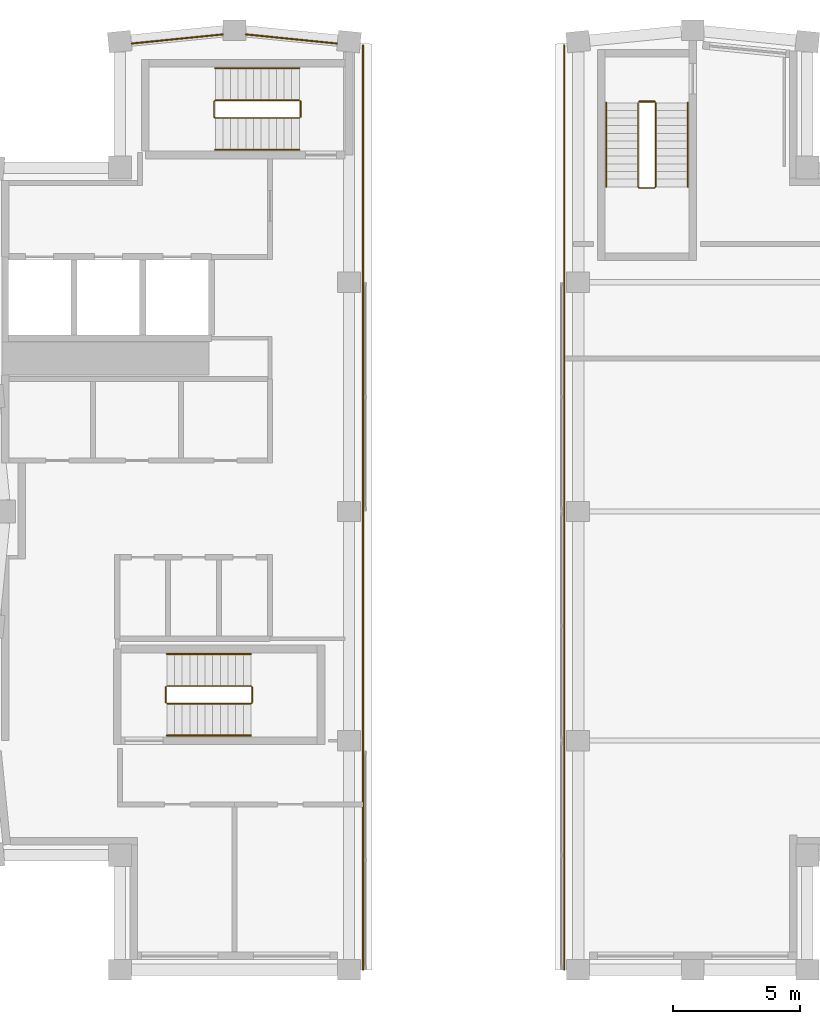
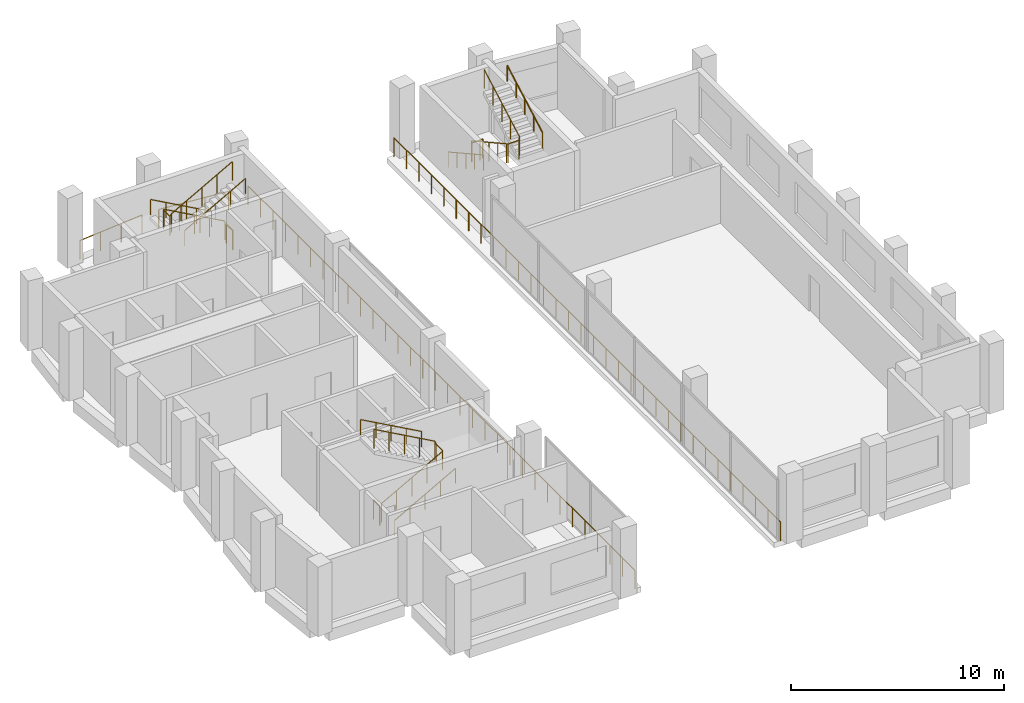
# One storey, part 9 of 9: 16 railings.
"""IFC4 building model written with IfcOpenShell, lengths in metres."""

from ifc_helpers import new_model, si_unit, direction, frame, origin, origin_2d, place, context, subcontext, project, spatial, circle, extrude, material, type_object, element, save


model = new_model("IFC4")

# Units and contexts
model_context = context("Model", 3, precision=1e-05, world=origin(), true_north=direction((0.0, 1.0)))
body_context = subcontext(model_context, "Body", "Model", "MODEL_VIEW")
ifc_project = project(units=[si_unit("LENGTHUNIT", "METRE"), si_unit("AREAUNIT", "SQUARE_METRE"), si_unit("VOLUMEUNIT", "CUBIC_METRE"), si_unit("PLANEANGLEUNIT", "RADIAN"), si_unit("MASSUNIT", "GRAM", prefix="KILO")], contexts=[model_context])

# Site, building, storey
site_placement = place(None, origin())
site = spatial("IfcSite", under=ifc_project, at=site_placement, CompositionType="ELEMENT")
building_placement = place(site_placement, origin())
building = spatial("IfcBuilding", under=site, at=building_placement, Name="Brondeck Convention Tower", CompositionType="ELEMENT")
storey_placement = place(building_placement, frame((0.0, 0.0, 290.800048828125)))
storey = spatial("IfcBuildingStorey", under=building, at=storey_placement, Name="L72", CompositionType="ELEMENT", Elevation=290.800048828125)

# Railings
ifc_material_1 = material(Name="Steel S355, bronze painted", Category="steel")
railing_type_1 = type_object("IfcRailingType", Name="Guard, bronze steel rail and posts", PredefinedType="GUARDRAIL", material=ifc_material_1)
railing_1_placement = place(storey_placement, frame((14.050048828125, 27.0, 0.0)))
element("IfcRailing", 1, at=railing_1_placement, inside=storey, type_object=railing_type_1, Name="ENV-SLOT-144-L72-RL1", PredefinedType="GUARDRAIL", context=body_context, shape_type="SweptSolid", body=[
    extrude(circle(Radius=0.02490234375, at=origin_2d()), frame((0.0, 0.0, 1.0751953125), z_axis=(0.0, 1.0, 0.0), x_axis=(-1.0, 0.0, 0.0)), (0.0, 0.0, 1.0), 36.294921875),
    extrude(circle(Radius=0.02490234375, at=origin_2d()), origin(), (0.0, 0.0, 1.0), 1.050048828125),
    extrude(circle(Radius=0.02490234375, at=origin_2d()), frame((0.0, 1.1708984375, 0.0)), (0.0, 0.0, 1.0), 1.050048828125),
    extrude(circle(Radius=0.02490234375, at=origin_2d()), frame((0.0, 2.341552734375, 0.0)), (0.0, 0.0, 1.0), 1.050048828125),
    extrude(circle(Radius=0.02490234375, at=origin_2d()), frame((0.0, 3.512451171875, 0.0)), (0.0, 0.0, 1.0), 1.050048828125),
    extrude(circle(Radius=0.02490234375, at=origin_2d()), frame((0.0, 4.68310546875, 0.0)), (0.0, 0.0, 1.0), 1.050048828125),
    extrude(circle(Radius=0.02490234375, at=origin_2d()), frame((0.0, 5.85400390625, 0.0)), (0.0, 0.0, 1.0), 1.050048828125),
    extrude(circle(Radius=0.02490234375, at=origin_2d()), frame((0.0, 7.02490234375, 0.0)), (0.0, 0.0, 1.0), 1.050048828125),
    extrude(circle(Radius=0.02490234375, at=origin_2d()), frame((0.0, 8.195556640625, 0.0)), (0.0, 0.0, 1.0), 1.050048828125),
    extrude(circle(Radius=0.02490234375, at=origin_2d()), frame((0.0, 9.366455078125, 0.0)), (0.0, 0.0, 1.0), 1.050048828125),
    extrude(circle(Radius=0.02490234375, at=origin_2d()), frame((0.0, 10.537353515625, 0.0)), (0.0, 0.0, 1.0), 1.050048828125),
    extrude(circle(Radius=0.02490234375, at=origin_2d()), frame((0.0, 11.7080078125, 0.0)), (0.0, 0.0, 1.0), 1.050048828125),
    extrude(circle(Radius=0.02490234375, at=origin_2d()), frame((0.0, 12.87890625, 0.0)), (0.0, 0.0, 1.0), 1.050048828125),
    extrude(circle(Radius=0.02490234375, at=origin_2d()), frame((0.0, 14.049560546875, 0.0)), (0.0, 0.0, 1.0), 1.050048828125),
    extrude(circle(Radius=0.02490234375, at=origin_2d()), frame((0.0, 15.220458984375, 0.0)), (0.0, 0.0, 1.0), 1.050048828125),
    extrude(circle(Radius=0.02490234375, at=origin_2d()), frame((0.0, 16.391357421875, 0.0)), (0.0, 0.0, 1.0), 1.050048828125),
    extrude(circle(Radius=0.02490234375, at=origin_2d()), frame((0.0, 17.56201171875, 0.0)), (0.0, 0.0, 1.0), 1.050048828125),
    extrude(circle(Radius=0.02490234375, at=origin_2d()), frame((0.0, 18.73291015625, 0.0)), (0.0, 0.0, 1.0), 1.050048828125),
    extrude(circle(Radius=0.02490234375, at=origin_2d()), frame((0.0, 19.903564453125, 0.0)), (0.0, 0.0, 1.0), 1.050048828125),
    extrude(circle(Radius=0.02490234375, at=origin_2d()), frame((0.0, 21.074462890625, 0.0)), (0.0, 0.0, 1.0), 1.050048828125),
    extrude(circle(Radius=0.02490234375, at=origin_2d()), frame((0.0, 22.245361328125, 0.0)), (0.0, 0.0, 1.0), 1.050048828125),
    extrude(circle(Radius=0.02490234375, at=origin_2d()), frame((0.0, 23.416015625, 0.0)), (0.0, 0.0, 1.0), 1.050048828125),
    extrude(circle(Radius=0.02490234375, at=origin_2d()), frame((0.0, 24.5869140625, 0.0)), (0.0, 0.0, 1.0), 1.050048828125),
    extrude(circle(Radius=0.02490234375, at=origin_2d()), frame((0.0, 25.757568359375, 0.0)), (0.0, 0.0, 1.0), 1.050048828125),
    extrude(circle(Radius=0.02490234375, at=origin_2d()), frame((0.0, 26.928466796875, 0.0)), (0.0, 0.0, 1.0), 1.050048828125),
    extrude(circle(Radius=0.02490234375, at=origin_2d()), frame((0.0, 28.099365234375, 0.0)), (0.0, 0.0, 1.0), 1.050048828125),
    extrude(circle(Radius=0.02490234375, at=origin_2d()), frame((0.0, 29.27001953125, 0.0)), (0.0, 0.0, 1.0), 1.050048828125),
    extrude(circle(Radius=0.02490234375, at=origin_2d()), frame((0.0, 30.44091796875, 0.0)), (0.0, 0.0, 1.0), 1.050048828125),
    extrude(circle(Radius=0.02490234375, at=origin_2d()), frame((0.0, 31.61181640625, 0.0)), (0.0, 0.0, 1.0), 1.050048828125),
    extrude(circle(Radius=0.02490234375, at=origin_2d()), frame((0.0, 32.782470703125, 0.0)), (0.0, 0.0, 1.0), 1.050048828125),
    extrude(circle(Radius=0.02490234375, at=origin_2d()), frame((0.0, 33.953369140625, 0.0)), (0.0, 0.0, 1.0), 1.050048828125),
    extrude(circle(Radius=0.02490234375, at=origin_2d()), frame((0.0, 35.1240234375, 0.0)), (0.0, 0.0, 1.0), 1.050048828125),
    extrude(circle(Radius=0.02490234375, at=origin_2d()), frame((0.0, 36.294921875, 0.0)), (0.0, 0.0, 1.0), 1.050048828125),
])
railing_2_placement = place(storey_placement, frame((21.949951171875, 27.0, 0.0)))
element("IfcRailing", 2, at=railing_2_placement, inside=storey, type_object=railing_type_1, Name="ENV-SLOT-216-L72-RL1", PredefinedType="GUARDRAIL", context=body_context, shape_type="SweptSolid", body=[
    extrude(circle(Radius=0.02490234375, at=origin_2d()), frame((0.0, 0.0, 1.0751953125), z_axis=(0.0, 1.0, 0.0), x_axis=(-1.0, 0.0, 0.0)), (0.0, 0.0, 1.0), 36.294921875),
    extrude(circle(Radius=0.02490234375, at=origin_2d()), origin(), (0.0, 0.0, 1.0), 1.050048828125),
    extrude(circle(Radius=0.02490234375, at=origin_2d()), frame((0.0, 1.1708984375, 0.0)), (0.0, 0.0, 1.0), 1.050048828125),
    extrude(circle(Radius=0.02490234375, at=origin_2d()), frame((0.0, 2.341552734375, 0.0)), (0.0, 0.0, 1.0), 1.050048828125),
    extrude(circle(Radius=0.02490234375, at=origin_2d()), frame((0.0, 3.512451171875, 0.0)), (0.0, 0.0, 1.0), 1.050048828125),
    extrude(circle(Radius=0.02490234375, at=origin_2d()), frame((0.0, 4.68310546875, 0.0)), (0.0, 0.0, 1.0), 1.050048828125),
    extrude(circle(Radius=0.02490234375, at=origin_2d()), frame((0.0, 5.85400390625, 0.0)), (0.0, 0.0, 1.0), 1.050048828125),
    extrude(circle(Radius=0.02490234375, at=origin_2d()), frame((0.0, 7.02490234375, 0.0)), (0.0, 0.0, 1.0), 1.050048828125),
    extrude(circle(Radius=0.02490234375, at=origin_2d()), frame((0.0, 8.195556640625, 0.0)), (0.0, 0.0, 1.0), 1.050048828125),
    extrude(circle(Radius=0.02490234375, at=origin_2d()), frame((0.0, 9.366455078125, 0.0)), (0.0, 0.0, 1.0), 1.050048828125),
    extrude(circle(Radius=0.02490234375, at=origin_2d()), frame((0.0, 10.537353515625, 0.0)), (0.0, 0.0, 1.0), 1.050048828125),
    extrude(circle(Radius=0.02490234375, at=origin_2d()), frame((0.0, 11.7080078125, 0.0)), (0.0, 0.0, 1.0), 1.050048828125),
    extrude(circle(Radius=0.02490234375, at=origin_2d()), frame((0.0, 12.87890625, 0.0)), (0.0, 0.0, 1.0), 1.050048828125),
    extrude(circle(Radius=0.02490234375, at=origin_2d()), frame((0.0, 14.049560546875, 0.0)), (0.0, 0.0, 1.0), 1.050048828125),
    extrude(circle(Radius=0.02490234375, at=origin_2d()), frame((0.0, 15.220458984375, 0.0)), (0.0, 0.0, 1.0), 1.050048828125),
    extrude(circle(Radius=0.02490234375, at=origin_2d()), frame((0.0, 16.391357421875, 0.0)), (0.0, 0.0, 1.0), 1.050048828125),
    extrude(circle(Radius=0.02490234375, at=origin_2d()), frame((0.0, 17.56201171875, 0.0)), (0.0, 0.0, 1.0), 1.050048828125),
    extrude(circle(Radius=0.02490234375, at=origin_2d()), frame((0.0, 18.73291015625, 0.0)), (0.0, 0.0, 1.0), 1.050048828125),
    extrude(circle(Radius=0.02490234375, at=origin_2d()), frame((0.0, 19.903564453125, 0.0)), (0.0, 0.0, 1.0), 1.050048828125),
    extrude(circle(Radius=0.02490234375, at=origin_2d()), frame((0.0, 21.074462890625, 0.0)), (0.0, 0.0, 1.0), 1.050048828125),
    extrude(circle(Radius=0.02490234375, at=origin_2d()), frame((0.0, 22.245361328125, 0.0)), (0.0, 0.0, 1.0), 1.050048828125),
    extrude(circle(Radius=0.02490234375, at=origin_2d()), frame((0.0, 23.416015625, 0.0)), (0.0, 0.0, 1.0), 1.050048828125),
    extrude(circle(Radius=0.02490234375, at=origin_2d()), frame((0.0, 24.5869140625, 0.0)), (0.0, 0.0, 1.0), 1.050048828125),
    extrude(circle(Radius=0.02490234375, at=origin_2d()), frame((0.0, 25.757568359375, 0.0)), (0.0, 0.0, 1.0), 1.050048828125),
    extrude(circle(Radius=0.02490234375, at=origin_2d()), frame((0.0, 26.928466796875, 0.0)), (0.0, 0.0, 1.0), 1.050048828125),
    extrude(circle(Radius=0.02490234375, at=origin_2d()), frame((0.0, 28.099365234375, 0.0)), (0.0, 0.0, 1.0), 1.050048828125),
    extrude(circle(Radius=0.02490234375, at=origin_2d()), frame((0.0, 29.27001953125, 0.0)), (0.0, 0.0, 1.0), 1.050048828125),
    extrude(circle(Radius=0.02490234375, at=origin_2d()), frame((0.0, 30.44091796875, 0.0)), (0.0, 0.0, 1.0), 1.050048828125),
    extrude(circle(Radius=0.02490234375, at=origin_2d()), frame((0.0, 31.61181640625, 0.0)), (0.0, 0.0, 1.0), 1.050048828125),
    extrude(circle(Radius=0.02490234375, at=origin_2d()), frame((0.0, 32.782470703125, 0.0)), (0.0, 0.0, 1.0), 1.050048828125),
    extrude(circle(Radius=0.02490234375, at=origin_2d()), frame((0.0, 33.953369140625, 0.0)), (0.0, 0.0, 1.0), 1.050048828125),
    extrude(circle(Radius=0.02490234375, at=origin_2d()), frame((0.0, 35.1240234375, 0.0)), (0.0, 0.0, 1.0), 1.050048828125),
    extrude(circle(Radius=0.02490234375, at=origin_2d()), frame((0.0, 36.294921875, 0.0)), (0.0, 0.0, 1.0), 1.050048828125),
])
railing_3_placement = place(storey_placement, frame((4.9794921875, 63.37744140625, 0.0)))
element("IfcRailing", 3, at=railing_3_placement, inside=storey, type_object=railing_type_1, Name="ENV-RL-L72-REAR1", PredefinedType="GUARDRAIL", context=body_context, shape_type="SweptSolid", body=[
    extrude(circle(Radius=0.02490234375, at=origin_2d()), frame((0.0, 0.0, 1.0751953125), z_axis=(0.995037864926, 0.099496971632, 0.0), x_axis=(-0.099496971632, 0.995037864926, 0.0)), (0.0, 0.0, 1.0), 3.58251953125),
    extrude(circle(Radius=0.02490234375, at=origin_2d()), origin(), (0.0, 0.0, 1.0), 1.050048828125),
    extrude(circle(Radius=0.02490234375, at=origin_2d()), frame((1.188232421875, 0.118896484375, 0.0)), (0.0, 0.0, 1.0), 1.050048828125),
    extrude(circle(Radius=0.02490234375, at=origin_2d()), frame((2.37646484375, 0.237548828125, 0.0)), (0.0, 0.0, 1.0), 1.050048828125),
    extrude(circle(Radius=0.02490234375, at=origin_2d()), frame((3.564697265625, 0.3564453125, 0.0)), (0.0, 0.0, 1.0), 1.050048828125),
])
railing_4_placement = place(storey_placement, frame((9.455810546875, 63.73388671875, 0.0)))
element("IfcRailing", 4, at=railing_4_placement, inside=storey, type_object=railing_type_1, Name="ENV-RL-L72-REAR2", PredefinedType="GUARDRAIL", context=body_context, shape_type="SweptSolid", body=[
    extrude(circle(Radius=0.02490234375, at=origin_2d()), frame((0.0, 0.0, 1.0751953125), z_axis=(0.995037864926, -0.099496971632, 0.0), x_axis=(0.099496971632, 0.995037864926, 0.0)), (0.0, 0.0, 1.0), 3.58251953125),
    extrude(circle(Radius=0.02490234375, at=origin_2d()), origin(), (0.0, 0.0, 1.0), 1.050048828125),
    extrude(circle(Radius=0.02490234375, at=origin_2d()), frame((1.188232421875, -0.118896484375, 0.0)), (0.0, 0.0, 1.0), 1.050048828125),
    extrude(circle(Radius=0.02490234375, at=origin_2d()), frame((2.37646484375, -0.237548828125, 0.0)), (0.0, 0.0, 1.0), 1.050048828125),
    extrude(circle(Radius=0.02490234375, at=origin_2d()), frame((3.564697265625, -0.3564453125, 0.0)), (0.0, 0.0, 1.0), 1.050048828125),
])
ifc_material_2 = material(Name="Steel S355", Category="steel")
railing_type_2 = type_object("IfcRailingType", Name="Stair guard 1100", PredefinedType="GUARDRAIL", material=ifc_material_2)
railing_5_placement = place(storey_placement, frame((6.35009765625, 37.449951171875, 0.16650390625)))
element("IfcRailing", 5, at=railing_5_placement, inside=storey, type_object=railing_type_2, Name="L72 ST-1 stair guard 1", PredefinedType="GUARDRAIL", context=body_context, shape_type="SweptSolid", body=[
    extrude(circle(Radius=0.02392578125, at=origin_2d()), frame((0.0, 0.0, 1.076171875), z_axis=(0.874126768038, 0.0, 0.485697841667), x_axis=(0.0, 1.0, 0.0)), (0.0, 0.0, 1.0), 3.77490234375),
    extrude(circle(Radius=0.02392578125, at=origin_2d()), frame((3.2998046875, 0.0, 2.90966796875), z_axis=(0.707106781187, 0.707106781187, 0.0), x_axis=(-0.707106781187, 0.707106781187, 0.0)), (0.0, 0.0, 1.0), 0.07080078125),
    extrude(circle(Radius=0.02392578125, at=origin_2d()), frame((3.349853515625, 0.050048828125, 2.90966796875), z_axis=(0.0, 1.0, 0.0), x_axis=(-1.0, 0.0, 0.0)), (0.0, 0.0, 1.0), 0.60009765625),
    extrude(circle(Radius=0.02392578125, at=origin_2d()), frame((3.349853515625, 0.650146484375, 2.90966796875), z_axis=(-0.276732813696, 0.275382897532, 0.920642824102), x_axis=(-0.705375805398, -0.708833529934, 0.0)), (0.0, 0.0, 1.0), 0.180908203125),
    extrude(circle(Radius=0.02392578125, at=origin_2d()), frame((3.2998046875, 0.699951171875, 3.076171875), z_axis=(-0.874126768038, 0.0, 0.485697841667), x_axis=(0.0, -1.0, 0.0)), (0.0, 0.0, 1.0), 3.77490234375),
    extrude(circle(Radius=0.02099609375, at=origin_2d()), origin(), (0.0, 0.0, 1.0), 1.052001953125),
    extrude(circle(Radius=0.02099609375, at=origin_2d()), frame((0.824951171875, 0.0, 0.45849609375)), (0.0, 0.0, 1.0), 1.052001953125),
    extrude(circle(Radius=0.02099609375, at=origin_2d()), frame((1.64990234375, 0.0, 0.916748046875)), (0.0, 0.0, 1.0), 1.052001953125),
    extrude(circle(Radius=0.02099609375, at=origin_2d()), frame((2.474853515625, 0.0, 1.375)), (0.0, 0.0, 1.0), 1.052001953125),
    extrude(circle(Radius=0.02099609375, at=origin_2d()), frame((3.2998046875, 0.0, 1.83349609375)), (0.0, 0.0, 1.0), 1.052001953125),
    extrude(circle(Radius=0.02099609375, at=origin_2d()), frame((3.349853515625, 0.050048828125, 1.83349609375)), (0.0, 0.0, 1.0), 1.052001953125),
    extrude(circle(Radius=0.02099609375, at=origin_2d()), frame((3.349853515625, 0.650146484375, 1.83349609375)), (0.0, 0.0, 1.0), 1.052001953125),
    extrude(circle(Radius=0.02099609375, at=origin_2d()), frame((3.2998046875, 0.699951171875, 2.0)), (0.0, 0.0, 1.0), 1.052001953125),
    extrude(circle(Radius=0.02099609375, at=origin_2d()), frame((2.474853515625, 0.699951171875, 2.45849609375)), (0.0, 0.0, 1.0), 1.052001953125),
    extrude(circle(Radius=0.02099609375, at=origin_2d()), frame((1.64990234375, 0.699951171875, 2.916748046875)), (0.0, 0.0, 1.0), 1.052001953125),
    extrude(circle(Radius=0.02099609375, at=origin_2d()), frame((0.824951171875, 0.699951171875, 3.375)), (0.0, 0.0, 1.0), 1.052001953125),
    extrude(circle(Radius=0.02099609375, at=origin_2d()), frame((0.0, 0.699951171875, 3.83349609375)), (0.0, 0.0, 1.0), 1.052001953125),
])
railing_6_placement = place(storey_placement, frame((6.300048828125, 37.5, 0.0)))
element("IfcRailing", 6, at=railing_6_placement, inside=storey, type_object=railing_type_2, Name="L72 ST-1 stair guard 2", PredefinedType="GUARDRAIL", context=body_context, shape_type="SweptSolid", body=[
    extrude(circle(Radius=0.02392578125, at=origin_2d()), frame((0.0, 0.0, 1.076171875), z_axis=(0.0, 1.0, 0.0), x_axis=(-1.0, 0.0, 0.0)), (0.0, 0.0, 1.0), 0.60009765625),
    extrude(circle(Radius=0.02099609375, at=origin_2d()), origin(), (0.0, 0.0, 1.0), 1.052001953125),
    extrude(circle(Radius=0.02099609375, at=origin_2d()), frame((0.0, 0.60009765625, 0.0)), (0.0, 0.0, 1.0), 1.052001953125),
])
railing_7_placement = place(storey_placement, frame((24.85009765625, 61.050048828125, 0.16650390625)))
element("IfcRailing", 7, at=railing_7_placement, inside=storey, type_object=railing_type_2, Name="L72 ST-2 stair guard 1", PredefinedType="GUARDRAIL", context=body_context, shape_type="SweptSolid", body=[
    extrude(circle(Radius=0.02392578125, at=origin_2d()), frame((0.0, 0.0, 1.076171875), z_axis=(0.0, -0.874142023373, 0.48567038511), x_axis=(1.0, 0.0, 0.0)), (0.0, 0.0, 1.0), 3.775146484375),
    extrude(circle(Radius=0.02392578125, at=origin_2d()), frame((0.0, -3.300048828125, 2.90966796875), z_axis=(0.705375805398, -0.708833529934, 0.0), x_axis=(0.708833529934, 0.705375805398, 0.0)), (0.0, 0.0, 1.0), 0.070556640625),
    extrude(circle(Radius=0.02392578125, at=origin_2d()), frame((0.0498046875, -3.35009765625, 2.90966796875), z_axis=(1.0, 0.0, 0.0), x_axis=(0.0, 1.0, 0.0)), (0.0, 0.0, 1.0), 0.60009765625),
    extrude(circle(Radius=0.02392578125, at=origin_2d()), frame((0.64990234375, -3.35009765625, 2.90966796875), z_axis=(0.27662974545, 0.27662974545, 0.920299933644), x_axis=(-0.707106781187, 0.707106781187, 0.0)), (0.0, 0.0, 1.0), 0.180908203125),
    extrude(circle(Radius=0.02392578125, at=origin_2d()), frame((0.699951171875, -3.300048828125, 3.076171875), z_axis=(0.0, 0.874142023373, 0.48567038511), x_axis=(-1.0, 0.0, 0.0)), (0.0, 0.0, 1.0), 3.775146484375),
    extrude(circle(Radius=0.02099609375, at=origin_2d()), origin(), (0.0, 0.0, 1.0), 1.052001953125),
    extrude(circle(Radius=0.02099609375, at=origin_2d()), frame((0.0, -0.824951171875, 0.45849609375)), (0.0, 0.0, 1.0), 1.052001953125),
    extrude(circle(Radius=0.02099609375, at=origin_2d()), frame((0.0, -1.64990234375, 0.916748046875)), (0.0, 0.0, 1.0), 1.052001953125),
    extrude(circle(Radius=0.02099609375, at=origin_2d()), frame((0.0, -2.47509765625, 1.375)), (0.0, 0.0, 1.0), 1.052001953125),
    extrude(circle(Radius=0.02099609375, at=origin_2d()), frame((0.0, -3.300048828125, 1.83349609375)), (0.0, 0.0, 1.0), 1.052001953125),
    extrude(circle(Radius=0.02099609375, at=origin_2d()), frame((0.0498046875, -3.35009765625, 1.83349609375)), (0.0, 0.0, 1.0), 1.052001953125),
    extrude(circle(Radius=0.02099609375, at=origin_2d()), frame((0.64990234375, -3.35009765625, 1.83349609375)), (0.0, 0.0, 1.0), 1.052001953125),
    extrude(circle(Radius=0.02099609375, at=origin_2d()), frame((0.699951171875, -3.300048828125, 2.0)), (0.0, 0.0, 1.0), 1.052001953125),
    extrude(circle(Radius=0.02099609375, at=origin_2d()), frame((0.699951171875, -2.47509765625, 2.45849609375)), (0.0, 0.0, 1.0), 1.052001953125),
    extrude(circle(Radius=0.02099609375, at=origin_2d()), frame((0.699951171875, -1.64990234375, 2.916748046875)), (0.0, 0.0, 1.0), 1.052001953125),
    extrude(circle(Radius=0.02099609375, at=origin_2d()), frame((0.699951171875, -0.824951171875, 3.375)), (0.0, 0.0, 1.0), 1.052001953125),
    extrude(circle(Radius=0.02099609375, at=origin_2d()), frame((0.699951171875, 0.0, 3.83349609375)), (0.0, 0.0, 1.0), 1.052001953125),
])
railing_8_placement = place(storey_placement, frame((24.89990234375, 61.10009765625, 0.0)))
element("IfcRailing", 8, at=railing_8_placement, inside=storey, type_object=railing_type_2, Name="L72 ST-2 stair guard 2", PredefinedType="GUARDRAIL", context=body_context, shape_type="SweptSolid", body=[
    extrude(circle(Radius=0.02392578125, at=origin_2d()), frame((0.0, 0.0, 1.076171875), z_axis=(1.0, 0.0, 0.0), x_axis=(0.0, 1.0, 0.0)), (0.0, 0.0, 1.0), 0.60009765625),
    extrude(circle(Radius=0.02099609375, at=origin_2d()), origin(), (0.0, 0.0, 1.0), 1.052001953125),
    extrude(circle(Radius=0.02099609375, at=origin_2d()), frame((0.60009765625, 0.0, 0.0)), (0.0, 0.0, 1.0), 1.052001953125),
])
railing_9_placement = place(storey_placement, frame((11.550048828125, 61.14990234375, 0.16650390625)))
element("IfcRailing", 9, at=railing_9_placement, inside=storey, type_object=railing_type_2, Name="L72 ST-3 stair guard 1", PredefinedType="GUARDRAIL", context=body_context, shape_type="SweptSolid", body=[
    extrude(circle(Radius=0.02392578125, at=origin_2d()), frame((0.0, 0.0, 1.076171875), z_axis=(-0.874142023373, 0.0, 0.48567038511), x_axis=(0.0, -1.0, 0.0)), (0.0, 0.0, 1.0), 3.775146484375),
    extrude(circle(Radius=0.02392578125, at=origin_2d()), frame((-3.300048828125, 0.0, 2.90966796875), z_axis=(-0.708833529934, -0.705375805398, 0.0), x_axis=(0.705375805398, -0.708833529934, 0.0)), (0.0, 0.0, 1.0), 0.070556640625),
    extrude(circle(Radius=0.02392578125, at=origin_2d()), frame((-3.35009765625, -0.0498046875, 2.90966796875), z_axis=(0.0, -1.0, 0.0), x_axis=(1.0, 0.0, 0.0)), (0.0, 0.0, 1.0), 0.60009765625),
    extrude(circle(Radius=0.02392578125, at=origin_2d()), frame((-3.35009765625, -0.64990234375, 2.90966796875), z_axis=(0.27662974545, -0.27662974545, 0.920299933644), x_axis=(0.707106781187, 0.707106781187, 0.0)), (0.0, 0.0, 1.0), 0.180908203125),
    extrude(circle(Radius=0.02392578125, at=origin_2d()), frame((-3.300048828125, -0.699951171875, 3.076171875), z_axis=(0.874142023373, 0.0, 0.48567038511), x_axis=(0.0, 1.0, 0.0)), (0.0, 0.0, 1.0), 3.775146484375),
    extrude(circle(Radius=0.02099609375, at=origin_2d()), origin(), (0.0, 0.0, 1.0), 1.052001953125),
    extrude(circle(Radius=0.02099609375, at=origin_2d()), frame((-0.824951171875, 0.0, 0.45849609375)), (0.0, 0.0, 1.0), 1.052001953125),
    extrude(circle(Radius=0.02099609375, at=origin_2d()), frame((-1.64990234375, 0.0, 0.916748046875)), (0.0, 0.0, 1.0), 1.052001953125),
    extrude(circle(Radius=0.02099609375, at=origin_2d()), frame((-2.47509765625, 0.0, 1.375)), (0.0, 0.0, 1.0), 1.052001953125),
    extrude(circle(Radius=0.02099609375, at=origin_2d()), frame((-3.300048828125, 0.0, 1.83349609375)), (0.0, 0.0, 1.0), 1.052001953125),
    extrude(circle(Radius=0.02099609375, at=origin_2d()), frame((-3.35009765625, -0.0498046875, 1.83349609375)), (0.0, 0.0, 1.0), 1.052001953125),
    extrude(circle(Radius=0.02099609375, at=origin_2d()), frame((-3.35009765625, -0.64990234375, 1.83349609375)), (0.0, 0.0, 1.0), 1.052001953125),
    extrude(circle(Radius=0.02099609375, at=origin_2d()), frame((-3.300048828125, -0.699951171875, 2.0)), (0.0, 0.0, 1.0), 1.052001953125),
    extrude(circle(Radius=0.02099609375, at=origin_2d()), frame((-2.47509765625, -0.699951171875, 2.45849609375)), (0.0, 0.0, 1.0), 1.052001953125),
    extrude(circle(Radius=0.02099609375, at=origin_2d()), frame((-1.64990234375, -0.699951171875, 2.916748046875)), (0.0, 0.0, 1.0), 1.052001953125),
    extrude(circle(Radius=0.02099609375, at=origin_2d()), frame((-0.824951171875, -0.699951171875, 3.375)), (0.0, 0.0, 1.0), 1.052001953125),
    extrude(circle(Radius=0.02099609375, at=origin_2d()), frame((0.0, -0.699951171875, 3.83349609375)), (0.0, 0.0, 1.0), 1.052001953125),
])
railing_10_placement = place(storey_placement, frame((11.60009765625, 61.10009765625, 0.0)))
element("IfcRailing", 10, at=railing_10_placement, inside=storey, type_object=railing_type_2, Name="L72 ST-3 stair guard 2", PredefinedType="GUARDRAIL", context=body_context, shape_type="SweptSolid", body=[
    extrude(circle(Radius=0.02392578125, at=origin_2d()), frame((0.0, 0.0, 1.076171875), z_axis=(0.0, -1.0, 0.0), x_axis=(1.0, 0.0, 0.0)), (0.0, 0.0, 1.0), 0.60009765625),
    extrude(circle(Radius=0.02099609375, at=origin_2d()), origin(), (0.0, 0.0, 1.0), 1.052001953125),
    extrude(circle(Radius=0.02099609375, at=origin_2d()), frame((0.0, -0.60009765625, 0.0)), (0.0, 0.0, 1.0), 1.052001953125),
])
railing_type_3 = type_object("IfcRailingType", Name="Stair handrail", PredefinedType="HANDRAIL", material=ifc_material_2)
railing_11_placement = place(storey_placement, frame((6.35009765625, 36.199951171875, 0.16650390625)))
element("IfcRailing", 11, at=railing_11_placement, inside=storey, type_object=railing_type_3, Name="L72 ST-1 stair handrail 1", PredefinedType="HANDRAIL", context=body_context, shape_type="SweptSolid", body=[
    extrude(circle(Radius=0.02392578125, at=origin_2d()), frame((0.0, 0.0, 0.8759765625), z_axis=(0.874126768038, 0.0, 0.485697841667), x_axis=(0.0, 1.0, 0.0)), (0.0, 0.0, 1.0), 3.77490234375),
    extrude(circle(Radius=0.02099609375, at=origin_2d()), origin(), (0.0, 0.0, 1.0), 0.851806640625),
    extrude(circle(Radius=0.02099609375, at=origin_2d()), frame((0.824951171875, 0.0, 0.45849609375)), (0.0, 0.0, 1.0), 0.851806640625),
    extrude(circle(Radius=0.02099609375, at=origin_2d()), frame((1.64990234375, 0.0, 0.916748046875)), (0.0, 0.0, 1.0), 0.851806640625),
    extrude(circle(Radius=0.02099609375, at=origin_2d()), frame((2.474853515625, 0.0, 1.375)), (0.0, 0.0, 1.0), 0.851806640625),
    extrude(circle(Radius=0.02099609375, at=origin_2d()), frame((3.2998046875, 0.0, 1.83349609375)), (0.0, 0.0, 1.0), 0.851806640625),
])
railing_12_placement = place(storey_placement, frame((9.64990234375, 39.39990234375, 2.16650390625)))
element("IfcRailing", 12, at=railing_12_placement, inside=storey, type_object=railing_type_3, Name="L72 ST-1 stair handrail 2", PredefinedType="HANDRAIL", context=body_context, shape_type="SweptSolid", body=[
    extrude(circle(Radius=0.02392578125, at=origin_2d()), frame((0.0, 0.0, 0.8759765625), z_axis=(-0.874126768038, 0.0, 0.485697841667), x_axis=(0.0, -1.0, 0.0)), (0.0, 0.0, 1.0), 3.77490234375),
    extrude(circle(Radius=0.02099609375, at=origin_2d()), origin(), (0.0, 0.0, 1.0), 0.851806640625),
    extrude(circle(Radius=0.02099609375, at=origin_2d()), frame((-0.824951171875, 0.0, 0.45849609375)), (0.0, 0.0, 1.0), 0.851806640625),
    extrude(circle(Radius=0.02099609375, at=origin_2d()), frame((-1.64990234375, 0.0, 0.916748046875)), (0.0, 0.0, 1.0), 0.851806640625),
    extrude(circle(Radius=0.02099609375, at=origin_2d()), frame((-2.474853515625, 0.0, 1.375)), (0.0, 0.0, 1.0), 0.851806640625),
    extrude(circle(Radius=0.02099609375, at=origin_2d()), frame((-3.2998046875, 0.0, 1.83349609375)), (0.0, 0.0, 1.0), 0.851806640625),
])
railing_13_placement = place(storey_placement, frame((23.60009765625, 61.050048828125, 0.16650390625)))
element("IfcRailing", 13, at=railing_13_placement, inside=storey, type_object=railing_type_3, Name="L72 ST-2 stair handrail 1", PredefinedType="HANDRAIL", context=body_context, shape_type="SweptSolid", body=[
    extrude(circle(Radius=0.02392578125, at=origin_2d()), frame((0.0, 0.0, 0.8759765625), z_axis=(0.0, -0.874142023373, 0.48567038511), x_axis=(1.0, 0.0, 0.0)), (0.0, 0.0, 1.0), 3.775146484375),
    extrude(circle(Radius=0.02099609375, at=origin_2d()), origin(), (0.0, 0.0, 1.0), 0.851806640625),
    extrude(circle(Radius=0.02099609375, at=origin_2d()), frame((0.0, -0.824951171875, 0.45849609375)), (0.0, 0.0, 1.0), 0.851806640625),
    extrude(circle(Radius=0.02099609375, at=origin_2d()), frame((0.0, -1.64990234375, 0.916748046875)), (0.0, 0.0, 1.0), 0.851806640625),
    extrude(circle(Radius=0.02099609375, at=origin_2d()), frame((0.0, -2.47509765625, 1.375)), (0.0, 0.0, 1.0), 0.851806640625),
    extrude(circle(Radius=0.02099609375, at=origin_2d()), frame((0.0, -3.300048828125, 1.83349609375)), (0.0, 0.0, 1.0), 0.851806640625),
])
railing_14_placement = place(storey_placement, frame((26.800048828125, 57.75, 2.16650390625)))
element("IfcRailing", 14, at=railing_14_placement, inside=storey, type_object=railing_type_3, Name="L72 ST-2 stair handrail 2", PredefinedType="HANDRAIL", context=body_context, shape_type="SweptSolid", body=[
    extrude(circle(Radius=0.02392578125, at=origin_2d()), frame((0.0, 0.0, 0.8759765625), z_axis=(0.0, 0.874142023373, 0.48567038511), x_axis=(-1.0, 0.0, 0.0)), (0.0, 0.0, 1.0), 3.775146484375),
    extrude(circle(Radius=0.02099609375, at=origin_2d()), origin(), (0.0, 0.0, 1.0), 0.851806640625),
    extrude(circle(Radius=0.02099609375, at=origin_2d()), frame((0.0, 0.824951171875, 0.45849609375)), (0.0, 0.0, 1.0), 0.851806640625),
    extrude(circle(Radius=0.02099609375, at=origin_2d()), frame((0.0, 1.64990234375, 0.916748046875)), (0.0, 0.0, 1.0), 0.851806640625),
    extrude(circle(Radius=0.02099609375, at=origin_2d()), frame((0.0, 2.47509765625, 1.375)), (0.0, 0.0, 1.0), 0.851806640625),
    extrude(circle(Radius=0.02099609375, at=origin_2d()), frame((0.0, 3.300048828125, 1.83349609375)), (0.0, 0.0, 1.0), 0.851806640625),
])
railing_15_placement = place(storey_placement, frame((11.550048828125, 62.39990234375, 0.16650390625)))
element("IfcRailing", 15, at=railing_15_placement, inside=storey, type_object=railing_type_3, Name="L72 ST-3 stair handrail 1", PredefinedType="HANDRAIL", context=body_context, shape_type="SweptSolid", body=[
    extrude(circle(Radius=0.02392578125, at=origin_2d()), frame((0.0, 0.0, 0.8759765625), z_axis=(-0.874142023373, 0.0, 0.48567038511), x_axis=(0.0, -1.0, 0.0)), (0.0, 0.0, 1.0), 3.775146484375),
    extrude(circle(Radius=0.02099609375, at=origin_2d()), origin(), (0.0, 0.0, 1.0), 0.851806640625),
    extrude(circle(Radius=0.02099609375, at=origin_2d()), frame((-0.824951171875, 0.0, 0.45849609375)), (0.0, 0.0, 1.0), 0.851806640625),
    extrude(circle(Radius=0.02099609375, at=origin_2d()), frame((-1.64990234375, 0.0, 0.916748046875)), (0.0, 0.0, 1.0), 0.851806640625),
    extrude(circle(Radius=0.02099609375, at=origin_2d()), frame((-2.47509765625, 0.0, 1.375)), (0.0, 0.0, 1.0), 0.851806640625),
    extrude(circle(Radius=0.02099609375, at=origin_2d()), frame((-3.300048828125, 0.0, 1.83349609375)), (0.0, 0.0, 1.0), 0.851806640625),
])
railing_16_placement = place(storey_placement, frame((8.25, 59.199951171875, 2.16650390625)))
element("IfcRailing", 16, at=railing_16_placement, inside=storey, type_object=railing_type_3, Name="L72 ST-3 stair handrail 2", PredefinedType="HANDRAIL", context=body_context, shape_type="SweptSolid", body=[
    extrude(circle(Radius=0.02392578125, at=origin_2d()), frame((0.0, 0.0, 0.8759765625), z_axis=(0.874142023373, 0.0, 0.48567038511), x_axis=(0.0, 1.0, 0.0)), (0.0, 0.0, 1.0), 3.775146484375),
    extrude(circle(Radius=0.02099609375, at=origin_2d()), origin(), (0.0, 0.0, 1.0), 0.851806640625),
    extrude(circle(Radius=0.02099609375, at=origin_2d()), frame((0.824951171875, 0.0, 0.45849609375)), (0.0, 0.0, 1.0), 0.851806640625),
    extrude(circle(Radius=0.02099609375, at=origin_2d()), frame((1.64990234375, 0.0, 0.916748046875)), (0.0, 0.0, 1.0), 0.851806640625),
    extrude(circle(Radius=0.02099609375, at=origin_2d()), frame((2.47509765625, 0.0, 1.375)), (0.0, 0.0, 1.0), 0.851806640625),
    extrude(circle(Radius=0.02099609375, at=origin_2d()), frame((3.300048828125, 0.0, 1.83349609375)), (0.0, 0.0, 1.0), 0.851806640625),
])

save(model, "model.ifc")
